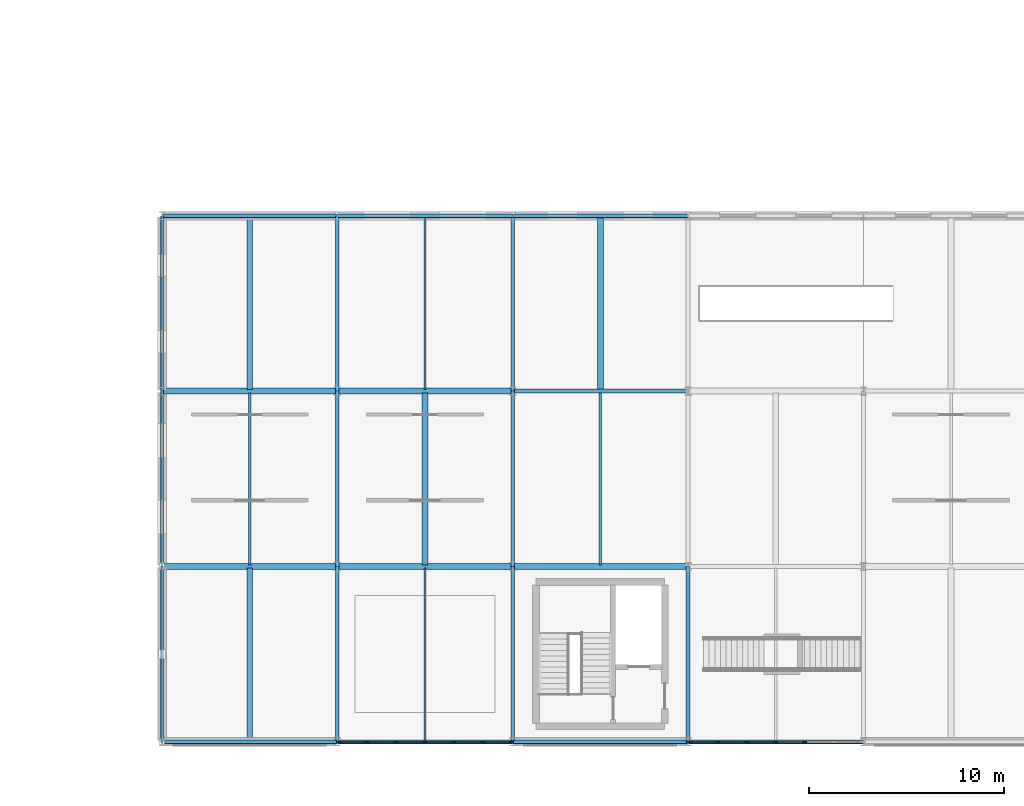
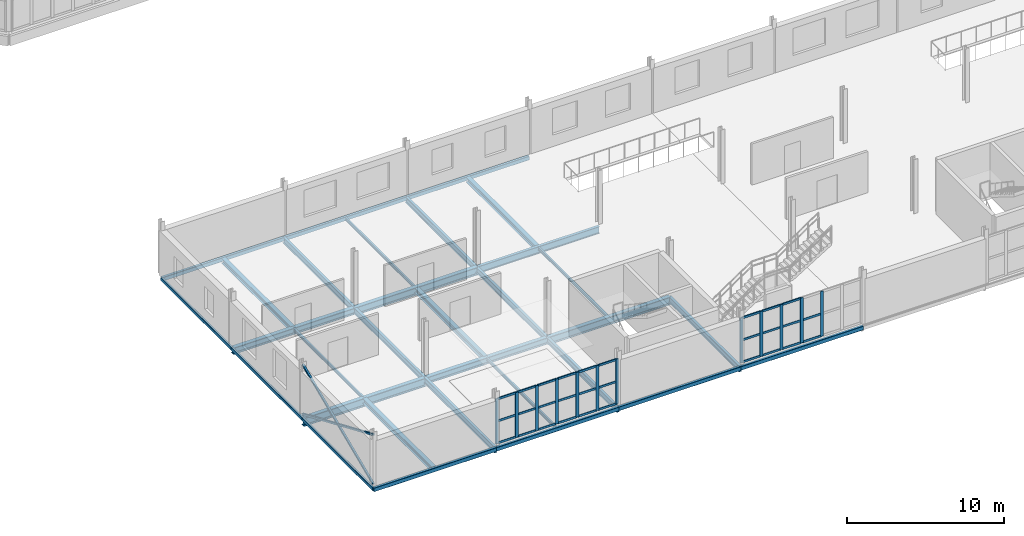
# One storey, part 35 of 161: 44 members, 31 beams, 2 elements without a shape of their own.
"""IFC4 building model written with IfcOpenShell, lengths in metres."""

from ifc_helpers import new_model, si_unit, direction, frame, origin, origin_2d, place, context, subcontext, project, spatial, rectangle, hollow_rectangle, i_section, extrude, material, material_profile, profile_set, type_object, element, aggregate, save


model = new_model("IFC4")

# Units and contexts
model_context = context("Model", 3, precision=1e-05, world=origin(), true_north=direction((0.0, 1.0)))
body_context = subcontext(model_context, "Body", "Model", "MODEL_VIEW")
ifc_project = project(units=[si_unit("LENGTHUNIT", "METRE"), si_unit("AREAUNIT", "SQUARE_METRE"), si_unit("VOLUMEUNIT", "CUBIC_METRE"), si_unit("PLANEANGLEUNIT", "RADIAN"), si_unit("MASSUNIT", "GRAM", prefix="KILO")], contexts=[model_context])

# Site, building, storey
site_placement = place(None, origin())
site = spatial("IfcSite", under=ifc_project, at=site_placement, CompositionType="ELEMENT")
building_placement = place(site_placement, origin())
building = spatial("IfcBuilding", under=site, at=building_placement, Name="Kildeholm Park Wholesale Market", CompositionType="ELEMENT")
storey_placement = place(building_placement, frame((0.0, 0.0, 5.39990234375)))
storey = spatial("IfcBuildingStorey", under=building, at=storey_placement, Name="L01", CompositionType="ELEMENT", Elevation=5.39990234375)

# Beams
ifc_material_1 = material(Name="Steel S355", Category="steel")
ifc_material_profile_1 = material_profile(ifc_material_1, i_section(OverallWidth=0.18994140625, OverallDepth=0.449951171875, WebThickness=0.009521484375, FlangeThickness=0.0146484375, FilletRadius=0.02099609375, at=origin_2d()), Name="IPE 450")
ifc_profile_set_1 = profile_set([ifc_material_profile_1], Name="Steel S355")
beam_type_1 = type_object("IfcBeamType", Name="Beam B-P02 IPE 450", PredefinedType="BEAM", material=ifc_profile_set_1)
for number, where, z_axis, x_axis, name in (
    (1, (18.0, 0.0, -0.46484375), (0.0, 1.0, 0.0), (-1.0, 0.0, 0.0), "Beam BM-V5W-L01-Y-018-000 BM-1278"),
    (2, (18.0, 9.0, -0.46484375), (0.0, 1.0, 0.0), (-1.0, 0.0, 0.0), "Beam BM-V5W-L01-Y-018-009 BM-1281"),
    (3, (18.0, 18.0, -0.46484375), (0.0, 1.0, 0.0), (-1.0, 0.0, 0.0), "Beam BM-V5W-L01-Y-018-018 BM-1284"),
    (4, (27.0, 0.0, -0.46484375), (0.0, 1.0, 0.0), (-1.0, 0.0, 0.0), "Beam BM-V5W-L01-Y-027-000 BM-1288"),
    (5, (27.0, 9.0, -0.46484375), (0.0, 1.0, 0.0), (-1.0, 0.0, 0.0), "Beam BM-V5W-L01-Y-027-009 BM-1290"),
    (6, (27.0, 18.0, -0.46484375), (0.0, 1.0, 0.0), (-1.0, 0.0, 0.0), "Beam BM-V5W-L01-Y-027-018 BM-1293"),
    (7, (36.0, 0.0, -0.46484375), (0.0, 1.0, 0.0), (-1.0, 0.0, 0.0), "Beam BM-V5W-L01-Y-036-000 BM-1297"),
):
    element("IfcBeam", number, at=place(storey_placement, frame(where, z_axis=z_axis, x_axis=x_axis)), inside=storey, type_object=beam_type_1, Name=name, PredefinedType="BEAM", context=body_context, shape_type="SweptSolid", body=[
        extrude(i_section(OverallWidth=0.18994140625, OverallDepth=0.449951171875, WebThickness=0.009521484375, FlangeThickness=0.0146484375, FilletRadius=0.02099609375, at=origin_2d()), origin(), (0.0, 0.0, 1.0), 9.0),
    ])
ifc_material_profile_2 = material_profile(ifc_material_1, i_section(OverallWidth=0.2099609375, OverallDepth=0.550048828125, WebThickness=0.010986328125, FlangeThickness=0.01708984375, FilletRadius=0.02392578125, at=origin_2d()), Name="IPE 550")
ifc_profile_set_2 = profile_set([ifc_material_profile_2], Name="Steel S355")
beam_type_2 = type_object("IfcBeamType", Name="Beam B-X01 IPE 550", PredefinedType="BEAM", material=ifc_profile_set_2)
beam_1_placement = place(storey_placement, frame((27.0, 18.0, -0.514892578125), z_axis=(1.0, 0.0, 0.0), x_axis=(0.0, 1.0, 0.0)))
element("IfcBeam", 8, at=beam_1_placement, inside=storey, type_object=beam_type_2, Name="Beam BM-V5W-L01-X-027-018 BM-1292", PredefinedType="BEAM", context=body_context, shape_type="SweptSolid", body=[
    extrude(i_section(OverallWidth=0.2099609375, OverallDepth=0.550048828125, WebThickness=0.010986328125, FlangeThickness=0.01708984375, FilletRadius=0.02392578125, at=origin_2d()), origin(), (0.0, 0.0, 1.0), 9.0),
])
ifc_material_profile_3 = material_profile(ifc_material_1, i_section(OverallWidth=0.300048828125, OverallDepth=0.64990234375, WebThickness=0.01611328125, FlangeThickness=0.031005859375, FilletRadius=0.027099609375, at=origin_2d()), Name="HEB 650")
ifc_profile_set_3 = profile_set([ifc_material_profile_3], Name="Steel S355")
beam_type_3 = type_object("IfcBeamType", Name="Beam B-X04 HEB 650", PredefinedType="BEAM", material=ifc_profile_set_3)
beam_2_placement = place(storey_placement, frame((9.0, 9.0, -0.56494140625), z_axis=(1.0, 0.0, 0.0), x_axis=(0.0, 1.0, 0.0)))
element("IfcBeam", 9, at=beam_2_placement, inside=storey, type_object=beam_type_3, Name="Beam BM-V5W-L01-X-009-009 BM-1270", PredefinedType="BEAM", context=body_context, shape_type="SweptSolid", body=[
    extrude(i_section(OverallWidth=0.300048828125, OverallDepth=0.64990234375, WebThickness=0.01611328125, FlangeThickness=0.031005859375, FilletRadius=0.027099609375, at=origin_2d()), origin(), (0.0, 0.0, 1.0), 9.0),
])
ifc_material_profile_4 = material_profile(ifc_material_1, i_section(OverallWidth=0.300048828125, OverallDepth=0.5, WebThickness=0.014404296875, FlangeThickness=0.028076171875, FilletRadius=0.027099609375, at=origin_2d()), Name="HEB 500")
ifc_profile_set_4 = profile_set([ifc_material_profile_4], Name="Steel S355")
beam_type_4 = type_object("IfcBeamType", Name="Beam B-X05 HEB 500", PredefinedType="BEAM", material=ifc_profile_set_4)
for number, where, z_axis, x_axis, name in (
    (10, (9.0, 18.0, -0.489990234375), (1.0, 0.0, 0.0), (0.0, 1.0, 0.0), "Beam BM-V5W-L01-X-009-018 BM-1273"),
    (11, (18.0, 9.0, -0.489990234375), (1.0, 0.0, 0.0), (0.0, 1.0, 0.0), "Beam BM-V5W-L01-X-018-009 BM-1280"),
):
    element("IfcBeam", number, at=place(storey_placement, frame(where, z_axis=z_axis, x_axis=x_axis)), inside=storey, type_object=beam_type_4, Name=name, PredefinedType="BEAM", context=body_context, shape_type="SweptSolid", body=[
        extrude(i_section(OverallWidth=0.300048828125, OverallDepth=0.5, WebThickness=0.014404296875, FlangeThickness=0.028076171875, FilletRadius=0.027099609375, at=origin_2d()), origin(), (0.0, 0.0, 1.0), 9.0),
    ])
ifc_material_profile_5 = material_profile(ifc_material_1, i_section(OverallWidth=0.300048828125, OverallDepth=0.60009765625, WebThickness=0.015380859375, FlangeThickness=0.030029296875, FilletRadius=0.027099609375, at=origin_2d()), Name="HEB 600")
ifc_profile_set_5 = profile_set([ifc_material_profile_5], Name="Steel S355")
beam_type_5 = type_object("IfcBeamType", Name="Beam B-X06 HEB 600", PredefinedType="BEAM", material=ifc_profile_set_5)
for number, where, z_axis, x_axis, name in (
    (12, (18.0, 18.0, -0.539794921875), (1.0, 0.0, 0.0), (0.0, 1.0, 0.0), "Beam BM-V5W-L01-X-018-018 BM-1283"),
    (13, (27.0, 9.0, -0.539794921875), (1.0, 0.0, 0.0), (0.0, 1.0, 0.0), "Beam BM-V5W-L01-X-027-009 BM-1289"),
):
    element("IfcBeam", number, at=place(storey_placement, frame(where, z_axis=z_axis, x_axis=x_axis)), inside=storey, type_object=beam_type_5, Name=name, PredefinedType="BEAM", context=body_context, shape_type="SweptSolid", body=[
        extrude(i_section(OverallWidth=0.300048828125, OverallDepth=0.60009765625, WebThickness=0.015380859375, FlangeThickness=0.030029296875, FilletRadius=0.027099609375, at=origin_2d()), origin(), (0.0, 0.0, 1.0), 9.0),
    ])
ifc_material_profile_6 = material_profile(ifc_material_1, i_section(OverallWidth=0.1201171875, OverallDepth=0.239990234375, WebThickness=0.006103515625, FlangeThickness=0.009765625, FilletRadius=0.014892578125, at=origin_2d()), Name="IPE 240")
ifc_profile_set_6 = profile_set([ifc_material_profile_6], Name="Steel S355")
beam_type_6 = type_object("IfcBeamType", Name="Beam J-01 IPE 240", PredefinedType="JOIST", material=ifc_profile_set_6)
for number, where, z_axis, x_axis, name in (
    (14, (13.5, 9.0849609375, -0.35986328125), (0.0, 1.0, 0.0), (-1.0, 0.0, 0.0), "Beam JT-V5W-L01-009-009 BM-1272"),
    (15, (22.5, 0.0849609375, -0.35986328125), (0.0, 1.0, 0.0), (-1.0, 0.0, 0.0), "Beam JT-V5W-L01-018-000 BM-1279"),
    (16, (22.5, 18.0849609375, -0.35986328125), (0.0, 1.0, 0.0), (-1.0, 0.0, 0.0), "Beam JT-V5W-L01-018-018 BM-1285"),
    (17, (31.5, 9.0849609375, -0.35986328125), (0.0, 1.0, 0.0), (-1.0, 0.0, 0.0), "Beam JT-V5W-L01-027-009 BM-1291"),
):
    element("IfcBeam", number, at=place(storey_placement, frame(where, z_axis=z_axis, x_axis=x_axis)), inside=storey, type_object=beam_type_6, Name=name, PredefinedType="JOIST", context=body_context, shape_type="SweptSolid", body=[
        extrude(i_section(OverallWidth=0.1201171875, OverallDepth=0.239990234375, WebThickness=0.006103515625, FlangeThickness=0.009765625, FilletRadius=0.014892578125, at=origin_2d()), origin(), (0.0, 0.0, 1.0), 8.830078125),
    ])
ifc_material_profile_7 = material_profile(ifc_material_1, i_section(OverallWidth=0.300048828125, OverallDepth=0.389892578125, WebThickness=0.010986328125, FlangeThickness=0.01904296875, FilletRadius=0.027099609375, at=origin_2d()), Name="HEA 400")
ifc_profile_set_7 = profile_set([ifc_material_profile_7], Name="Steel S355")
beam_type_7 = type_object("IfcBeamType", Name="Beam J-06 HEA 400", PredefinedType="JOIST", material=ifc_profile_set_7)
for number, where, z_axis, x_axis, name in (
    (18, (13.5, 0.0849609375, -0.434814453125), (0.0, 1.0, 0.0), (-1.0, 0.0, 0.0), "Beam JT-V5W-L01-009-000 BM-1269"),
    (19, (13.5, 18.0849609375, -0.434814453125), (0.0, 1.0, 0.0), (-1.0, 0.0, 0.0), "Beam JT-V5W-L01-009-018 BM-1275"),
    (20, (22.5, 9.0849609375, -0.434814453125), (0.0, 1.0, 0.0), (-1.0, 0.0, 0.0), "Beam JT-V5W-L01-018-009 BM-1282"),
    (21, (31.5, 18.0849609375, -0.434814453125), (0.0, 1.0, 0.0), (-1.0, 0.0, 0.0), "Beam JT-V5W-L01-027-018 BM-1294"),
):
    element("IfcBeam", number, at=place(storey_placement, frame(where, z_axis=z_axis, x_axis=x_axis)), inside=storey, type_object=beam_type_7, Name=name, PredefinedType="JOIST", context=body_context, shape_type="SweptSolid", body=[
        extrude(i_section(OverallWidth=0.300048828125, OverallDepth=0.389892578125, WebThickness=0.010986328125, FlangeThickness=0.01904296875, FilletRadius=0.027099609375, at=origin_2d()), origin(), (0.0, 0.0, 1.0), 8.830078125),
    ])
ifc_material_profile_8 = material_profile(ifc_material_1, hollow_rectangle(XDim=0.199951171875, YDim=0.300048828125, WallThickness=0.012451171875, InnerFilletRadius=0.012451171875, OuterFilletRadius=0.02490234375, at=origin_2d()), Name="RHS 300x200x12.5")
ifc_profile_set_8 = profile_set([ifc_material_profile_8], Name="Steel S355")
beam_type_8 = type_object("IfcBeamType", Name="Beam SP-01 RHS 300x200x12.5", PredefinedType="SPANDREL", material=ifc_profile_set_8)
for number, where, z_axis, x_axis, name in (
    (22, (9.0, 0.0, -0.389892578125), (1.0, 0.0, 0.0), (0.0, 1.0, 0.0), "Beam BM-V5W-L01-X-009-000 BM-1267"),
    (23, (9.0, 27.0, -0.389892578125), (1.0, 0.0, 0.0), (0.0, 1.0, 0.0), "Beam BM-V5W-L01-X-009-027 BM-1276"),
    (24, (18.0, 0.0, -0.389892578125), (1.0, 0.0, 0.0), (0.0, 1.0, 0.0), "Beam BM-V5W-L01-X-018-000 BM-1277"),
    (25, (18.0, 27.0, -0.389892578125), (1.0, 0.0, 0.0), (0.0, 1.0, 0.0), "Beam BM-V5W-L01-X-018-027 BM-1286"),
    (26, (27.0, 0.0, -0.389892578125), (1.0, 0.0, 0.0), (0.0, 1.0, 0.0), "Beam BM-V5W-L01-X-027-000 BM-1287"),
    (27, (27.0, 27.0, -0.389892578125), (1.0, 0.0, 0.0), (0.0, 1.0, 0.0), "Beam BM-V5W-L01-X-027-027 BM-1295"),
    (28, (36.0, 0.0, -0.389892578125), (1.0, 0.0, 0.0), (0.0, 1.0, 0.0), "Beam BM-V5W-L01-X-036-000 BM-1296"),
):
    element("IfcBeam", number, at=place(storey_placement, frame(where, z_axis=z_axis, x_axis=x_axis)), inside=storey, type_object=beam_type_8, Name=name, PredefinedType="SPANDREL", context=body_context, shape_type="SweptSolid", body=[
        extrude(hollow_rectangle(XDim=0.199951171875, YDim=0.300048828125, WallThickness=0.012451171875, InnerFilletRadius=0.012451171875, OuterFilletRadius=0.02490234375, at=origin_2d()), origin(), (0.0, 0.0, 1.0), 9.0),
    ])
ifc_material_profile_9 = material_profile(ifc_material_1, hollow_rectangle(XDim=0.14990234375, YDim=0.25, WallThickness=0.010009765625, InnerFilletRadius=0.010009765625, OuterFilletRadius=0.02001953125, at=origin_2d()), Name="RHS 250x150x10")
ifc_profile_set_9 = profile_set([ifc_material_profile_9], Name="Steel S355")
beam_type_9 = type_object("IfcBeamType", Name="Beam SP-02 RHS 250x150x10", PredefinedType="SPANDREL", material=ifc_profile_set_9)
for number, where, z_axis, x_axis, name in (
    (29, (9.0, 0.0, -0.364990234375), (0.0, 1.0, 0.0), (-1.0, 0.0, 0.0), "Beam BM-V5W-L01-Y-009-000 BM-1268"),
    (30, (9.0, 9.0, -0.364990234375), (0.0, 1.0, 0.0), (-1.0, 0.0, 0.0), "Beam BM-V5W-L01-Y-009-009 BM-1271"),
    (31, (9.0, 18.0, -0.364990234375), (0.0, 1.0, 0.0), (-1.0, 0.0, 0.0), "Beam BM-V5W-L01-Y-009-018 BM-1274"),
):
    element("IfcBeam", number, at=place(storey_placement, frame(where, z_axis=z_axis, x_axis=x_axis)), inside=storey, type_object=beam_type_9, Name=name, PredefinedType="SPANDREL", context=body_context, shape_type="SweptSolid", body=[
        extrude(hollow_rectangle(XDim=0.14990234375, YDim=0.25, WallThickness=0.010009765625, InnerFilletRadius=0.010009765625, OuterFilletRadius=0.02001953125, at=origin_2d()), origin(), (0.0, 0.0, 1.0), 9.0),
    ])

# Curtain wall, members
ifc_material_2 = material(Name="Anodised aluminium and low-E double-glazed glass", Category="aluminium")
curtain_wall_type = type_object("IfcCurtainWallType", Name="Park wing thermally broken curtain wall CW-03", PredefinedType="NOTDEFINED", material=ifc_material_2)
curtain_wall_1_placement = place(storey_placement, origin())
curtain_wall_1 = element("IfcCurtainWall", 32, at=curtain_wall_1_placement, inside=storey, type_object=curtain_wall_type, Name="Curtain wall CW-V5W-L01-S-02 CW-0143", PredefinedType="NOTDEFINED")
ifc_material_3 = material(Name="Anodised aluminium", Category="aluminium")
ifc_material_profile_10 = material_profile(ifc_material_3, rectangle(XDim=0.074951171875, YDim=0.219970703125, at=origin_2d()), Name="CWM 75x220")
ifc_profile_set_10 = profile_set([ifc_material_profile_10], Name="Anodised aluminium")
member_type_1 = type_object("IfcMemberType", Name="Curtain-wall mullion CWM-2 CWM 75x220", PredefinedType="MULLION", material=ifc_profile_set_10)
member_1_placement = place(storey_placement, frame((18.077392578125, 0.0, 0.0), z_axis=(0.0, 0.0, 1.0), x_axis=(0.0, 1.0, 0.0)))
member_1 = element("IfcMember", 33, at=member_1_placement, type_object=member_type_1, Name="CW-03 mullion 1 MEM-4440", PredefinedType="MULLION", context=body_context, shape_type="SweptSolid", body=[
    extrude(rectangle(XDim=0.074951171875, YDim=0.219970703125, at=origin_2d()), origin(), (0.0, 0.0, 1.0), 3.5),
])
member_2_placement = place(storey_placement, frame((19.526611328125, 0.0, 0.0), z_axis=(0.0, 0.0, 1.0), x_axis=(0.0, 1.0, 0.0)))
member_2 = element("IfcMember", 34, at=member_2_placement, type_object=member_type_1, Name="CW-03 mullion 2 MEM-4441", PredefinedType="MULLION", context=body_context, shape_type="SweptSolid", body=[
    extrude(rectangle(XDim=0.074951171875, YDim=0.219970703125, at=origin_2d()), origin(), (0.0, 0.0, 1.0), 3.5),
])
member_3_placement = place(storey_placement, frame((21.013427734375, 0.0, 0.0), z_axis=(0.0, 0.0, 1.0), x_axis=(0.0, 1.0, 0.0)))
member_3 = element("IfcMember", 35, at=member_3_placement, type_object=member_type_1, Name="CW-03 mullion 3 MEM-4442", PredefinedType="MULLION", context=body_context, shape_type="SweptSolid", body=[
    extrude(rectangle(XDim=0.074951171875, YDim=0.219970703125, at=origin_2d()), origin(), (0.0, 0.0, 1.0), 3.5),
])
member_4_placement = place(storey_placement, frame((22.5, 0.0, 0.0), z_axis=(0.0, 0.0, 1.0), x_axis=(0.0, 1.0, 0.0)))
member_4 = element("IfcMember", 36, at=member_4_placement, type_object=member_type_1, Name="CW-03 mullion 4 MEM-4443", PredefinedType="MULLION", context=body_context, shape_type="SweptSolid", body=[
    extrude(rectangle(XDim=0.074951171875, YDim=0.219970703125, at=origin_2d()), origin(), (0.0, 0.0, 1.0), 3.5),
])
member_5_placement = place(storey_placement, frame((23.986572265625, 0.0, 0.0), z_axis=(0.0, 0.0, 1.0), x_axis=(0.0, 1.0, 0.0)))
member_5 = element("IfcMember", 37, at=member_5_placement, type_object=member_type_1, Name="CW-03 mullion 5 MEM-4444", PredefinedType="MULLION", context=body_context, shape_type="SweptSolid", body=[
    extrude(rectangle(XDim=0.074951171875, YDim=0.219970703125, at=origin_2d()), origin(), (0.0, 0.0, 1.0), 3.5),
])
member_6_placement = place(storey_placement, frame((25.473388671875, 0.0, 0.0), z_axis=(0.0, 0.0, 1.0), x_axis=(0.0, 1.0, 0.0)))
member_6 = element("IfcMember", 38, at=member_6_placement, type_object=member_type_1, Name="CW-03 mullion 6 MEM-4445", PredefinedType="MULLION", context=body_context, shape_type="SweptSolid", body=[
    extrude(rectangle(XDim=0.074951171875, YDim=0.219970703125, at=origin_2d()), origin(), (0.0, 0.0, 1.0), 3.5),
])
member_7_placement = place(storey_placement, frame((26.922607421875, 0.0, 0.0), z_axis=(0.0, 0.0, 1.0), x_axis=(0.0, 1.0, 0.0)))
member_7 = element("IfcMember", 39, at=member_7_placement, type_object=member_type_1, Name="CW-03 mullion 7 MEM-4446", PredefinedType="MULLION", context=body_context, shape_type="SweptSolid", body=[
    extrude(rectangle(XDim=0.074951171875, YDim=0.219970703125, at=origin_2d()), origin(), (0.0, 0.0, 1.0), 3.5),
])

curtain_wall_2_placement = place(storey_placement, origin())
curtain_wall_2 = element("IfcCurtainWall", 40, at=curtain_wall_2_placement, inside=storey, type_object=curtain_wall_type, Name="Curtain wall CW-V5W-L01-S-04 CW-0144", PredefinedType="NOTDEFINED")
member_8_placement = place(storey_placement, frame((36.077392578125, 0.0, 0.0), z_axis=(0.0, 0.0, 1.0), x_axis=(0.0, 1.0, 0.0)))
member_8 = element("IfcMember", 41, at=member_8_placement, type_object=member_type_1, Name="CW-03 mullion 1 MEM-4465", PredefinedType="MULLION", context=body_context, shape_type="SweptSolid", body=[
    extrude(rectangle(XDim=0.074951171875, YDim=0.219970703125, at=origin_2d()), origin(), (0.0, 0.0, 1.0), 3.5),
])
member_9_placement = place(storey_placement, frame((37.526611328125, 0.0, 0.0), z_axis=(0.0, 0.0, 1.0), x_axis=(0.0, 1.0, 0.0)))
member_9 = element("IfcMember", 42, at=member_9_placement, type_object=member_type_1, Name="CW-03 mullion 2 MEM-4466", PredefinedType="MULLION", context=body_context, shape_type="SweptSolid", body=[
    extrude(rectangle(XDim=0.074951171875, YDim=0.219970703125, at=origin_2d()), origin(), (0.0, 0.0, 1.0), 3.5),
])
member_10_placement = place(storey_placement, frame((39.013427734375, 0.0, 0.0), z_axis=(0.0, 0.0, 1.0), x_axis=(0.0, 1.0, 0.0)))
member_10 = element("IfcMember", 43, at=member_10_placement, type_object=member_type_1, Name="CW-03 mullion 3 MEM-4467", PredefinedType="MULLION", context=body_context, shape_type="SweptSolid", body=[
    extrude(rectangle(XDim=0.074951171875, YDim=0.219970703125, at=origin_2d()), origin(), (0.0, 0.0, 1.0), 3.5),
])
member_11_placement = place(storey_placement, frame((40.5, 0.0, 0.0), z_axis=(0.0, 0.0, 1.0), x_axis=(0.0, 1.0, 0.0)))
member_11 = element("IfcMember", 44, at=member_11_placement, type_object=member_type_1, Name="CW-03 mullion 4 MEM-4468", PredefinedType="MULLION", context=body_context, shape_type="SweptSolid", body=[
    extrude(rectangle(XDim=0.074951171875, YDim=0.219970703125, at=origin_2d()), origin(), (0.0, 0.0, 1.0), 3.5),
])
member_12_placement = place(storey_placement, frame((41.986572265625, 0.0, 0.0), z_axis=(0.0, 0.0, 1.0), x_axis=(0.0, 1.0, 0.0)))
member_12 = element("IfcMember", 45, at=member_12_placement, type_object=member_type_1, Name="CW-03 mullion 5 MEM-4469", PredefinedType="MULLION", context=body_context, shape_type="SweptSolid", body=[
    extrude(rectangle(XDim=0.074951171875, YDim=0.219970703125, at=origin_2d()), origin(), (0.0, 0.0, 1.0), 3.5),
])

# Member
ifc_material_profile_11 = material_profile(ifc_material_3, rectangle(XDim=0.074951171875, YDim=0.159912109375, at=origin_2d()), Name="CWT 75x160")
ifc_profile_set_11 = profile_set([ifc_material_profile_11], Name="Anodised aluminium")
member_type_2 = type_object("IfcMemberType", Name="Curtain-wall transom CWT-2 CWT 75x160", PredefinedType="USERDEFINED", material=ifc_profile_set_11)
member_13_placement = place(storey_placement, frame((18.114990234375, 0.0, 0.03759765625), z_axis=(1.0, 0.0, 0.0), x_axis=(0.0, 1.0, 0.0)))
member_13 = element("IfcMember", 46, at=member_13_placement, type_object=member_type_2, Name="CW-03 transom 1.1 MEM-4447", ObjectType="TRANSOM", PredefinedType="USERDEFINED", context=body_context, shape_type="SweptSolid", body=[
    extrude(rectangle(XDim=0.074951171875, YDim=0.159912109375, at=origin_2d()), origin(), (0.0, 0.0, 1.0), 1.374267578125),
])

member_14_placement = place(storey_placement, frame((18.114990234375, 0.0, 1.75), z_axis=(1.0, 0.0, 0.0), x_axis=(0.0, 1.0, 0.0)))
member_14 = element("IfcMember", 47, at=member_14_placement, type_object=member_type_2, Name="CW-03 transom 1.2 MEM-4448", ObjectType="TRANSOM", PredefinedType="USERDEFINED", context=body_context, shape_type="SweptSolid", body=[
    extrude(rectangle(XDim=0.074951171875, YDim=0.159912109375, at=origin_2d()), origin(), (0.0, 0.0, 1.0), 1.374267578125),
])

member_15_placement = place(storey_placement, frame((18.114990234375, 0.0, 3.462646484375), z_axis=(1.0, 0.0, 0.0), x_axis=(0.0, 1.0, 0.0)))
member_15 = element("IfcMember", 48, at=member_15_placement, type_object=member_type_2, Name="CW-03 transom 1.3 MEM-4449", ObjectType="TRANSOM", PredefinedType="USERDEFINED", context=body_context, shape_type="SweptSolid", body=[
    extrude(rectangle(XDim=0.074951171875, YDim=0.159912109375, at=origin_2d()), origin(), (0.0, 0.0, 1.0), 1.374267578125),
])

member_16_placement = place(storey_placement, frame((19.564208984375, 0.0, 0.03759765625), z_axis=(1.0, 0.0, 0.0), x_axis=(0.0, 1.0, 0.0)))
member_16 = element("IfcMember", 49, at=member_16_placement, type_object=member_type_2, Name="CW-03 transom 2.1 MEM-4450", ObjectType="TRANSOM", PredefinedType="USERDEFINED", context=body_context, shape_type="SweptSolid", body=[
    extrude(rectangle(XDim=0.074951171875, YDim=0.159912109375, at=origin_2d()), origin(), (0.0, 0.0, 1.0), 1.41162109375),
])

member_17_placement = place(storey_placement, frame((19.564208984375, 0.0, 1.75), z_axis=(1.0, 0.0, 0.0), x_axis=(0.0, 1.0, 0.0)))
member_17 = element("IfcMember", 50, at=member_17_placement, type_object=member_type_2, Name="CW-03 transom 2.2 MEM-4451", ObjectType="TRANSOM", PredefinedType="USERDEFINED", context=body_context, shape_type="SweptSolid", body=[
    extrude(rectangle(XDim=0.074951171875, YDim=0.159912109375, at=origin_2d()), origin(), (0.0, 0.0, 1.0), 1.41162109375),
])

member_18_placement = place(storey_placement, frame((19.564208984375, 0.0, 3.462646484375), z_axis=(1.0, 0.0, 0.0), x_axis=(0.0, 1.0, 0.0)))
member_18 = element("IfcMember", 51, at=member_18_placement, type_object=member_type_2, Name="CW-03 transom 2.3 MEM-4452", ObjectType="TRANSOM", PredefinedType="USERDEFINED", context=body_context, shape_type="SweptSolid", body=[
    extrude(rectangle(XDim=0.074951171875, YDim=0.159912109375, at=origin_2d()), origin(), (0.0, 0.0, 1.0), 1.41162109375),
])

member_19_placement = place(storey_placement, frame((21.05078125, 0.0, 0.03759765625), z_axis=(1.0, 0.0, 0.0), x_axis=(0.0, 1.0, 0.0)))
member_19 = element("IfcMember", 52, at=member_19_placement, type_object=member_type_2, Name="CW-03 transom 3.1 MEM-4453", ObjectType="TRANSOM", PredefinedType="USERDEFINED", context=body_context, shape_type="SweptSolid", body=[
    extrude(rectangle(XDim=0.074951171875, YDim=0.159912109375, at=origin_2d()), origin(), (0.0, 0.0, 1.0), 1.41162109375),
])

member_20_placement = place(storey_placement, frame((21.05078125, 0.0, 1.75), z_axis=(1.0, 0.0, 0.0), x_axis=(0.0, 1.0, 0.0)))
member_20 = element("IfcMember", 53, at=member_20_placement, type_object=member_type_2, Name="CW-03 transom 3.2 MEM-4454", ObjectType="TRANSOM", PredefinedType="USERDEFINED", context=body_context, shape_type="SweptSolid", body=[
    extrude(rectangle(XDim=0.074951171875, YDim=0.159912109375, at=origin_2d()), origin(), (0.0, 0.0, 1.0), 1.41162109375),
])

member_21_placement = place(storey_placement, frame((21.05078125, 0.0, 3.462646484375), z_axis=(1.0, 0.0, 0.0), x_axis=(0.0, 1.0, 0.0)))
member_21 = element("IfcMember", 54, at=member_21_placement, type_object=member_type_2, Name="CW-03 transom 3.3 MEM-4455", ObjectType="TRANSOM", PredefinedType="USERDEFINED", context=body_context, shape_type="SweptSolid", body=[
    extrude(rectangle(XDim=0.074951171875, YDim=0.159912109375, at=origin_2d()), origin(), (0.0, 0.0, 1.0), 1.41162109375),
])

member_22_placement = place(storey_placement, frame((22.53759765625, 0.0, 0.03759765625), z_axis=(1.0, 0.0, 0.0), x_axis=(0.0, 1.0, 0.0)))
member_22 = element("IfcMember", 55, at=member_22_placement, type_object=member_type_2, Name="CW-03 transom 4.1 MEM-4456", ObjectType="TRANSOM", PredefinedType="USERDEFINED", context=body_context, shape_type="SweptSolid", body=[
    extrude(rectangle(XDim=0.074951171875, YDim=0.159912109375, at=origin_2d()), origin(), (0.0, 0.0, 1.0), 1.41162109375),
])

member_23_placement = place(storey_placement, frame((22.53759765625, 0.0, 1.75), z_axis=(1.0, 0.0, 0.0), x_axis=(0.0, 1.0, 0.0)))
member_23 = element("IfcMember", 56, at=member_23_placement, type_object=member_type_2, Name="CW-03 transom 4.2 MEM-4457", ObjectType="TRANSOM", PredefinedType="USERDEFINED", context=body_context, shape_type="SweptSolid", body=[
    extrude(rectangle(XDim=0.074951171875, YDim=0.159912109375, at=origin_2d()), origin(), (0.0, 0.0, 1.0), 1.41162109375),
])

member_24_placement = place(storey_placement, frame((22.53759765625, 0.0, 3.462646484375), z_axis=(1.0, 0.0, 0.0), x_axis=(0.0, 1.0, 0.0)))
member_24 = element("IfcMember", 57, at=member_24_placement, type_object=member_type_2, Name="CW-03 transom 4.3 MEM-4458", ObjectType="TRANSOM", PredefinedType="USERDEFINED", context=body_context, shape_type="SweptSolid", body=[
    extrude(rectangle(XDim=0.074951171875, YDim=0.159912109375, at=origin_2d()), origin(), (0.0, 0.0, 1.0), 1.41162109375),
])

member_25_placement = place(storey_placement, frame((24.024169921875, 0.0, 0.03759765625), z_axis=(1.0, 0.0, 0.0), x_axis=(0.0, 1.0, 0.0)))
member_25 = element("IfcMember", 58, at=member_25_placement, type_object=member_type_2, Name="CW-03 transom 5.1 MEM-4459", ObjectType="TRANSOM", PredefinedType="USERDEFINED", context=body_context, shape_type="SweptSolid", body=[
    extrude(rectangle(XDim=0.074951171875, YDim=0.159912109375, at=origin_2d()), origin(), (0.0, 0.0, 1.0), 1.41162109375),
])

member_26_placement = place(storey_placement, frame((24.024169921875, 0.0, 1.75), z_axis=(1.0, 0.0, 0.0), x_axis=(0.0, 1.0, 0.0)))
member_26 = element("IfcMember", 59, at=member_26_placement, type_object=member_type_2, Name="CW-03 transom 5.2 MEM-4460", ObjectType="TRANSOM", PredefinedType="USERDEFINED", context=body_context, shape_type="SweptSolid", body=[
    extrude(rectangle(XDim=0.074951171875, YDim=0.159912109375, at=origin_2d()), origin(), (0.0, 0.0, 1.0), 1.41162109375),
])

member_27_placement = place(storey_placement, frame((24.024169921875, 0.0, 3.462646484375), z_axis=(1.0, 0.0, 0.0), x_axis=(0.0, 1.0, 0.0)))
member_27 = element("IfcMember", 60, at=member_27_placement, type_object=member_type_2, Name="CW-03 transom 5.3 MEM-4461", ObjectType="TRANSOM", PredefinedType="USERDEFINED", context=body_context, shape_type="SweptSolid", body=[
    extrude(rectangle(XDim=0.074951171875, YDim=0.159912109375, at=origin_2d()), origin(), (0.0, 0.0, 1.0), 1.41162109375),
])

member_28_placement = place(storey_placement, frame((25.5107421875, 0.0, 0.03759765625), z_axis=(1.0, 0.0, 0.0), x_axis=(0.0, 1.0, 0.0)))
member_28 = element("IfcMember", 61, at=member_28_placement, type_object=member_type_2, Name="CW-03 transom 6.1 MEM-4462", ObjectType="TRANSOM", PredefinedType="USERDEFINED", context=body_context, shape_type="SweptSolid", body=[
    extrude(rectangle(XDim=0.074951171875, YDim=0.159912109375, at=origin_2d()), origin(), (0.0, 0.0, 1.0), 1.374267578125),
])

member_29_placement = place(storey_placement, frame((25.5107421875, 0.0, 1.75), z_axis=(1.0, 0.0, 0.0), x_axis=(0.0, 1.0, 0.0)))
member_29 = element("IfcMember", 62, at=member_29_placement, type_object=member_type_2, Name="CW-03 transom 6.2 MEM-4463", ObjectType="TRANSOM", PredefinedType="USERDEFINED", context=body_context, shape_type="SweptSolid", body=[
    extrude(rectangle(XDim=0.074951171875, YDim=0.159912109375, at=origin_2d()), origin(), (0.0, 0.0, 1.0), 1.374267578125),
])

member_30_placement = place(storey_placement, frame((25.5107421875, 0.0, 3.462646484375), z_axis=(1.0, 0.0, 0.0), x_axis=(0.0, 1.0, 0.0)))
member_30 = element("IfcMember", 63, at=member_30_placement, type_object=member_type_2, Name="CW-03 transom 6.3 MEM-4464", ObjectType="TRANSOM", PredefinedType="USERDEFINED", context=body_context, shape_type="SweptSolid", body=[
    extrude(rectangle(XDim=0.074951171875, YDim=0.159912109375, at=origin_2d()), origin(), (0.0, 0.0, 1.0), 1.374267578125),
])

aggregate(curtain_wall_1, [member_1, member_2, member_3, member_4, member_5, member_6, member_7, member_13, member_14, member_15, member_16, member_17, member_18, member_19, member_20, member_21, member_22, member_23, member_24, member_25, member_26, member_27, member_28, member_29, member_30])

member_31_placement = place(storey_placement, frame((36.114990234375, 0.0, 0.03759765625), z_axis=(1.0, 0.0, 0.0), x_axis=(0.0, 1.0, 0.0)))
member_31 = element("IfcMember", 64, at=member_31_placement, type_object=member_type_2, Name="CW-03 transom 1.1 MEM-4472", ObjectType="TRANSOM", PredefinedType="USERDEFINED", context=body_context, shape_type="SweptSolid", body=[
    extrude(rectangle(XDim=0.074951171875, YDim=0.159912109375, at=origin_2d()), origin(), (0.0, 0.0, 1.0), 1.374267578125),
])

member_32_placement = place(storey_placement, frame((36.114990234375, 0.0, 1.75), z_axis=(1.0, 0.0, 0.0), x_axis=(0.0, 1.0, 0.0)))
member_32 = element("IfcMember", 65, at=member_32_placement, type_object=member_type_2, Name="CW-03 transom 1.2 MEM-4473", ObjectType="TRANSOM", PredefinedType="USERDEFINED", context=body_context, shape_type="SweptSolid", body=[
    extrude(rectangle(XDim=0.074951171875, YDim=0.159912109375, at=origin_2d()), origin(), (0.0, 0.0, 1.0), 1.374267578125),
])

member_33_placement = place(storey_placement, frame((36.114990234375, 0.0, 3.462646484375), z_axis=(1.0, 0.0, 0.0), x_axis=(0.0, 1.0, 0.0)))
member_33 = element("IfcMember", 66, at=member_33_placement, type_object=member_type_2, Name="CW-03 transom 1.3 MEM-4474", ObjectType="TRANSOM", PredefinedType="USERDEFINED", context=body_context, shape_type="SweptSolid", body=[
    extrude(rectangle(XDim=0.074951171875, YDim=0.159912109375, at=origin_2d()), origin(), (0.0, 0.0, 1.0), 1.374267578125),
])

member_34_placement = place(storey_placement, frame((37.564208984375, 0.0, 0.03759765625), z_axis=(1.0, 0.0, 0.0), x_axis=(0.0, 1.0, 0.0)))
member_34 = element("IfcMember", 67, at=member_34_placement, type_object=member_type_2, Name="CW-03 transom 2.1 MEM-4475", ObjectType="TRANSOM", PredefinedType="USERDEFINED", context=body_context, shape_type="SweptSolid", body=[
    extrude(rectangle(XDim=0.074951171875, YDim=0.159912109375, at=origin_2d()), origin(), (0.0, 0.0, 1.0), 1.41162109375),
])

member_35_placement = place(storey_placement, frame((37.564208984375, 0.0, 1.75), z_axis=(1.0, 0.0, 0.0), x_axis=(0.0, 1.0, 0.0)))
member_35 = element("IfcMember", 68, at=member_35_placement, type_object=member_type_2, Name="CW-03 transom 2.2 MEM-4476", ObjectType="TRANSOM", PredefinedType="USERDEFINED", context=body_context, shape_type="SweptSolid", body=[
    extrude(rectangle(XDim=0.074951171875, YDim=0.159912109375, at=origin_2d()), origin(), (0.0, 0.0, 1.0), 1.41162109375),
])

member_36_placement = place(storey_placement, frame((37.564208984375, 0.0, 3.462646484375), z_axis=(1.0, 0.0, 0.0), x_axis=(0.0, 1.0, 0.0)))
member_36 = element("IfcMember", 69, at=member_36_placement, type_object=member_type_2, Name="CW-03 transom 2.3 MEM-4477", ObjectType="TRANSOM", PredefinedType="USERDEFINED", context=body_context, shape_type="SweptSolid", body=[
    extrude(rectangle(XDim=0.074951171875, YDim=0.159912109375, at=origin_2d()), origin(), (0.0, 0.0, 1.0), 1.41162109375),
])

member_37_placement = place(storey_placement, frame((39.05078125, 0.0, 0.03759765625), z_axis=(1.0, 0.0, 0.0), x_axis=(0.0, 1.0, 0.0)))
member_37 = element("IfcMember", 70, at=member_37_placement, type_object=member_type_2, Name="CW-03 transom 3.1 MEM-4478", ObjectType="TRANSOM", PredefinedType="USERDEFINED", context=body_context, shape_type="SweptSolid", body=[
    extrude(rectangle(XDim=0.074951171875, YDim=0.159912109375, at=origin_2d()), origin(), (0.0, 0.0, 1.0), 1.41162109375),
])

member_38_placement = place(storey_placement, frame((39.05078125, 0.0, 1.75), z_axis=(1.0, 0.0, 0.0), x_axis=(0.0, 1.0, 0.0)))
member_38 = element("IfcMember", 71, at=member_38_placement, type_object=member_type_2, Name="CW-03 transom 3.2 MEM-4479", ObjectType="TRANSOM", PredefinedType="USERDEFINED", context=body_context, shape_type="SweptSolid", body=[
    extrude(rectangle(XDim=0.074951171875, YDim=0.159912109375, at=origin_2d()), origin(), (0.0, 0.0, 1.0), 1.41162109375),
])

member_39_placement = place(storey_placement, frame((39.05078125, 0.0, 3.462646484375), z_axis=(1.0, 0.0, 0.0), x_axis=(0.0, 1.0, 0.0)))
member_39 = element("IfcMember", 72, at=member_39_placement, type_object=member_type_2, Name="CW-03 transom 3.3 MEM-4480", ObjectType="TRANSOM", PredefinedType="USERDEFINED", context=body_context, shape_type="SweptSolid", body=[
    extrude(rectangle(XDim=0.074951171875, YDim=0.159912109375, at=origin_2d()), origin(), (0.0, 0.0, 1.0), 1.41162109375),
])

member_40_placement = place(storey_placement, frame((40.53759765625, 0.0, 0.03759765625), z_axis=(1.0, 0.0, 0.0), x_axis=(0.0, 1.0, 0.0)))
member_40 = element("IfcMember", 73, at=member_40_placement, type_object=member_type_2, Name="CW-03 transom 4.1 MEM-4481", ObjectType="TRANSOM", PredefinedType="USERDEFINED", context=body_context, shape_type="SweptSolid", body=[
    extrude(rectangle(XDim=0.074951171875, YDim=0.159912109375, at=origin_2d()), origin(), (0.0, 0.0, 1.0), 1.41162109375),
])

member_41_placement = place(storey_placement, frame((40.53759765625, 0.0, 1.75), z_axis=(1.0, 0.0, 0.0), x_axis=(0.0, 1.0, 0.0)))
member_41 = element("IfcMember", 74, at=member_41_placement, type_object=member_type_2, Name="CW-03 transom 4.2 MEM-4482", ObjectType="TRANSOM", PredefinedType="USERDEFINED", context=body_context, shape_type="SweptSolid", body=[
    extrude(rectangle(XDim=0.074951171875, YDim=0.159912109375, at=origin_2d()), origin(), (0.0, 0.0, 1.0), 1.41162109375),
])

aggregate(curtain_wall_2, [member_8, member_9, member_10, member_11, member_12, member_31, member_32, member_33, member_34, member_35, member_36, member_37, member_38, member_39, member_40, member_41])

# Members
ifc_material_profile_12 = material_profile(ifc_material_1, hollow_rectangle(XDim=0.14990234375, YDim=0.14990234375, WallThickness=0.010009765625, InnerFilletRadius=0.010009765625, OuterFilletRadius=0.02001953125, at=origin_2d()), Name="SHS 150x150x10")
ifc_profile_set_12 = profile_set([ifc_material_profile_12], Name="Steel S355")
member_type_3 = type_object("IfcMemberType", Name="Member TB-03 SHS 150x150x10", PredefinedType="BRACE", material=ifc_profile_set_12)
member_42_placement = place(storey_placement, frame((9.0, 0.0, 0.02001953125), z_axis=(0.0, 0.91903538651, 0.394175035159), x_axis=(-1.0, 0.0, 0.0)))
element("IfcMember", 75, at=member_42_placement, inside=storey, type_object=member_type_3, Name="Member BR-V5W-L01-1 MEM-0360", PredefinedType="BRACE", context=body_context, shape_type="SweptSolid", body=[
    extrude(hollow_rectangle(XDim=0.14990234375, YDim=0.14990234375, WallThickness=0.010009765625, InnerFilletRadius=0.010009765625, OuterFilletRadius=0.02001953125, at=origin_2d()), origin(), (0.0, 0.0, 1.0), 9.79296875),
])
for number, where, z_axis, x_axis, name in (
    (76, (9.0, 9.0, 0.02001953125), (0.0, -0.919030578096, 0.394186245985), (1.0, 0.0, 0.0), "Member BR-V5W-L01-2A MEM-0361"),
    (77, (9.0, 4.463134765625, 1.9658203125), (0.0, -0.919030578096, 0.394186245985), (1.0, 0.0, 0.0), "Member BR-V5W-L01-2B MEM-0362"),
):
    element("IfcMember", number, at=place(storey_placement, frame(where, z_axis=z_axis, x_axis=x_axis)), inside=storey, type_object=member_type_3, Name=name, PredefinedType="BRACE", context=body_context, shape_type="SweptSolid", body=[
        extrude(hollow_rectangle(XDim=0.14990234375, YDim=0.14990234375, WallThickness=0.010009765625, InnerFilletRadius=0.010009765625, OuterFilletRadius=0.02001953125, at=origin_2d()), origin(), (0.0, 0.0, 1.0), 4.8564453125),
    ])

save(model, "model.ifc")
